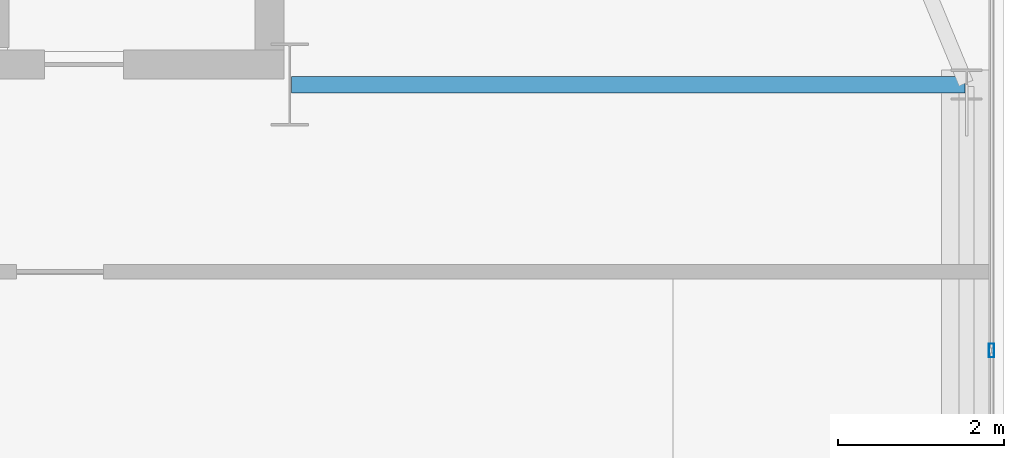
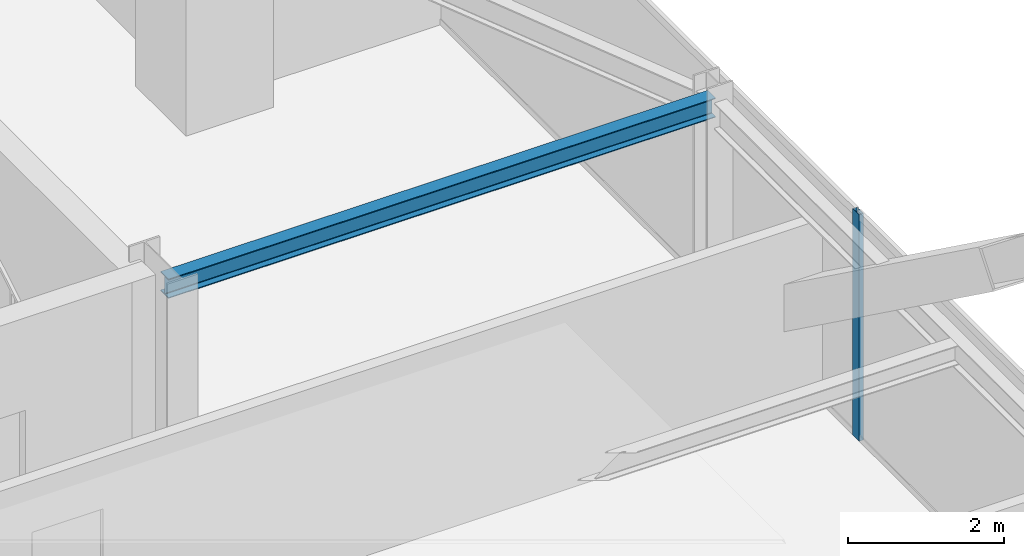
# One storey, part 20 of 34: 1 beam, 1 member, 1 element without a shape of its own.
"""IFC4 building model written with IfcOpenShell, lengths in metres."""

from ifc_helpers import new_model, si_unit, direction, frame, origin, origin_2d, place, context, subcontext, project, spatial, hollow_rectangle, i_section, extrude, source, transform, mapped, material, layer, layer_set, material_profile, profile_set, type_object, type_shapes, element, aggregate, save


model = new_model("IFC4")

# Units and contexts
model_context = context("Model", 3, precision=1e-05, world=origin(), true_north=direction((0.0, 1.0)))
body_context = subcontext(model_context, "Body", "Model", "MODEL_VIEW")
ifc_project = project(units=[si_unit("LENGTHUNIT", "METRE"), si_unit("AREAUNIT", "SQUARE_METRE"), si_unit("VOLUMEUNIT", "CUBIC_METRE"), si_unit("PLANEANGLEUNIT", "RADIAN"), si_unit("MASSUNIT", "GRAM", prefix="KILO")], contexts=[model_context])

# Site, building, storey
site_placement = place(None, origin())
site = spatial("IfcSite", under=ifc_project, at=site_placement, CompositionType="ELEMENT")
building_placement = place(site_placement, origin())
building = spatial("IfcBuilding", under=site, at=building_placement, Name="Varnel Quay Broadcast Tower", CompositionType="ELEMENT")
storey_placement = place(building_placement, frame((0.0, 0.0, 161.0)))
storey = spatial("IfcBuildingStorey", under=building, at=storey_placement, Name="L39", CompositionType="ELEMENT", Elevation=161.0)

# Beam
ifc_material_1 = material(Name="Structural Steel CSA G40.21 350W", Category="steel")
ifc_material_profile_1 = material_profile(ifc_material_1, i_section(OverallWidth=0.202880859375, OverallDepth=0.302978515625, WebThickness=0.007568359375, FlangeThickness=0.01318359375, FilletRadius=0.011962890625, at=origin_2d()), Name="W310X60")
ifc_profile_set_1 = profile_set([ifc_material_profile_1], Name="Structural Steel CSA G40.21 350W")
beam_type = type_object("IfcBeamType", Name="Beam_W310X60", PredefinedType="JOIST", material=ifc_profile_set_1)
shared_shape_1 = source(origin(), body_context, "Body", "SweptSolid", [
    extrude(i_section(OverallWidth=0.202880859375, OverallDepth=0.302978515625, WebThickness=0.007568359375, FlangeThickness=0.01318359375, FilletRadius=0.011962890625, at=origin_2d()), origin(), (0.0, 0.0, 1.0), 8.110107421875),
])
type_shapes(beam_type, [shared_shape_1])
beam_placement = place(storey_placement, frame((52.419921875, 35.60009765625, 3.3984375), z_axis=(1.0, 0.0, 0.0), x_axis=(0.0, 1.0, 0.0)))
element("IfcBeam", 1, at=beam_placement, inside=storey, type_object=beam_type, Name="L39 East Core Tie Joist", PredefinedType="JOIST", context=body_context, shape_type="MappedRepresentation", body=[
    mapped(shared_shape_1, transform((0.0, 0.0, 0.0), x_axis=(1.0, 0.0, 0.0), y_axis=(0.0, 1.0, 0.0), z_axis=(0.0, 0.0, 1.0), scale=1.0)),
])

# Curtain wall, member
ifc_material_2 = material(Name="Anodised Bronze Aluminium 6063-T6", Category="aluminium")
ifc_layer = layer(ifc_material_2, 0.18994140625, Name="Anodised Bronze Aluminium 6063-T6")
ifc_layer_set = layer_set([ifc_layer], Name="Anodised Bronze Aluminium 6063-T6")
curtain_wall_type = type_object("IfcCurtainWallType", Name="CW_UpperTower", PredefinedType="NOTDEFINED", material=ifc_layer_set)
curtain_wall_placement = place(storey_placement, origin())
curtain_wall = element("IfcCurtainWall", 2, at=curtain_wall_placement, inside=storey, type_object=curtain_wall_type, Name="L39 East Unitised Curtain Wall", PredefinedType="NOTDEFINED")
ifc_material_profile_2 = material_profile(ifc_material_2, hollow_rectangle(XDim=0.06494140625, YDim=0.1650390625, WallThickness=0.00341796875, at=origin_2d()), Name="ALU65X165X3.5")
ifc_profile_set_2 = profile_set([ifc_material_profile_2], Name="Anodised Bronze Aluminium 6063-T6")
member_type = type_object("IfcMemberType", Name="Mull_CWS-03", PredefinedType="MULLION", material=ifc_profile_set_2)
shared_shape_2 = source(origin(), body_context, "Body", "SweptSolid", [
    extrude(hollow_rectangle(XDim=0.06494140625, YDim=0.1650390625, WallThickness=0.00341796875, at=origin_2d()), origin(), (0.0, 0.0, 1.0), 3.550048828125),
])
type_shapes(member_type, [shared_shape_2])
member_placement = place(storey_placement, frame((60.85009765625, 32.39990234375, 0.0), z_axis=(0.0, 0.0, 1.0), x_axis=(-1.0, 0.0, 0.0)))
member = element("IfcMember", 3, at=member_placement, type_object=member_type, Name="CWS-03 mullion 3", PredefinedType="MULLION", context=body_context, shape_type="MappedRepresentation", body=[
    mapped(shared_shape_2, transform((0.0, 0.0, 0.0), x_axis=(1.0, 0.0, 0.0), y_axis=(0.0, 1.0, 0.0), z_axis=(0.0, 0.0, 1.0), scale=1.0)),
])
aggregate(curtain_wall, [member])

save(model, "model.ifc")
